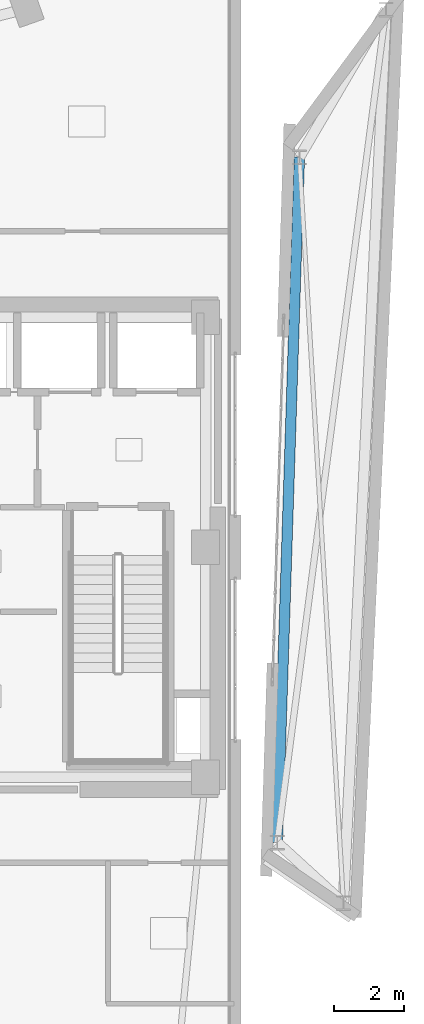
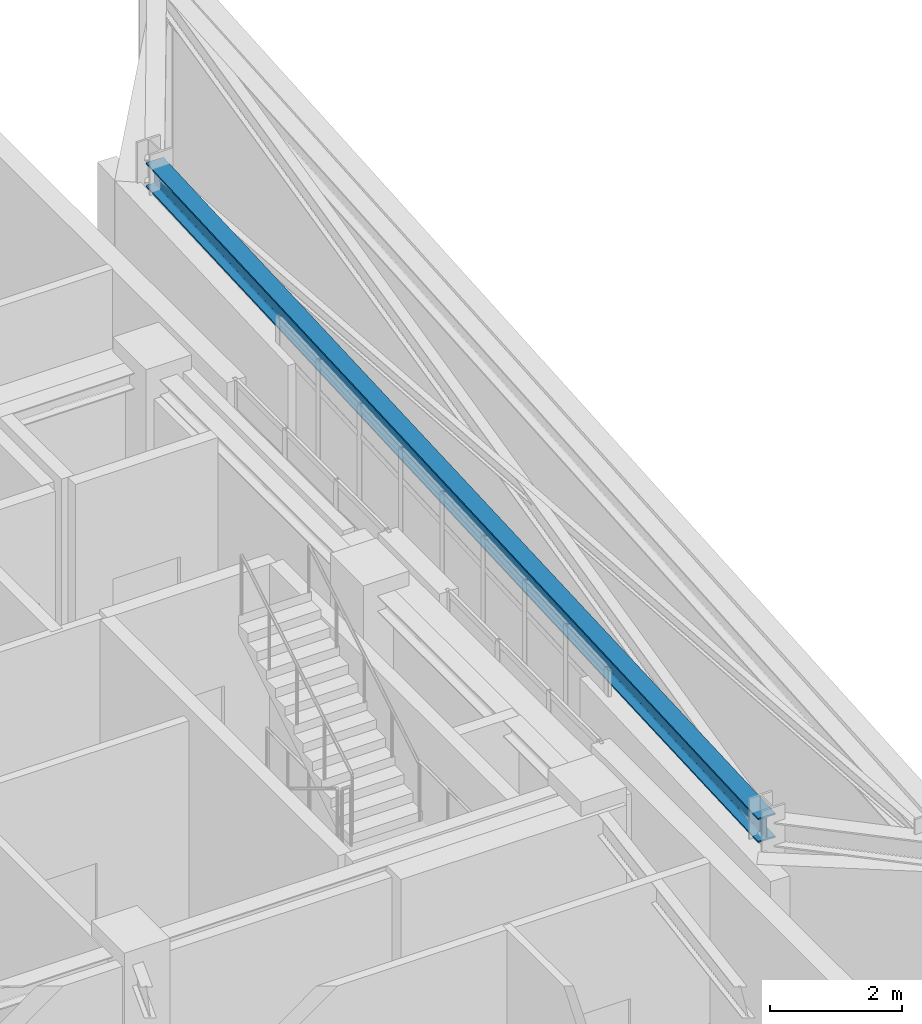
# One storey, part 8 of 19: 1 beam.
"""IFC4 building model written with IfcOpenShell, lengths in metres."""

from ifc_helpers import new_model, si_unit, direction, frame, origin, origin_2d, place, context, subcontext, project, spatial, i_section, extrude, material, material_profile, profile_set, type_object, element, save


model = new_model("IFC4")

# Units and contexts
model_context = context("Model", 3, precision=1e-05, world=origin(), true_north=direction((0.0, 1.0)))
body_context = subcontext(model_context, "Body", "Model", "MODEL_VIEW")
ifc_project = project(units=[si_unit("LENGTHUNIT", "METRE"), si_unit("AREAUNIT", "SQUARE_METRE"), si_unit("VOLUMEUNIT", "CUBIC_METRE"), si_unit("PLANEANGLEUNIT", "RADIAN"), si_unit("MASSUNIT", "GRAM", prefix="KILO")], contexts=[model_context])

# Site, building, storey
site_placement = place(None, origin())
site = spatial("IfcSite", under=ifc_project, at=site_placement, CompositionType="ELEMENT")
building_placement = place(site_placement, origin())
building = spatial("IfcBuilding", under=site, at=building_placement, Name="Ndelora Gate Hotel", CompositionType="ELEMENT")
storey_placement = place(building_placement, frame((0.0, 0.0, 286.0)))
storey = spatial("IfcBuildingStorey", under=building, at=storey_placement, Name="L71", CompositionType="ELEMENT", Elevation=286.0)

# Beam
ifc_material = material(Name="Steel S355", Category="steel")
ifc_material_profile = material_profile(ifc_material, i_section(OverallWidth=0.300048828125, OverallDepth=0.449951171875, WebThickness=0.013916015625, FlangeThickness=0.02587890625, FilletRadius=0.027099609375, at=origin_2d()), Name="HEB 450")
ifc_profile_set = profile_set([ifc_material_profile], Name="Steel S355")
beam_type = type_object("IfcBeamType", Name="BM-RING-450", PredefinedType="SPANDREL", material=ifc_profile_set)
beam_placement = place(storey_placement, frame((10.692138671875, 11.19091796875, 3.89501953125), z_axis=(-0.032242893106, -0.999480062755, 0.0), x_axis=(0.999480062755, -0.032242893106, 0.0)))
element("IfcBeam", 1, at=beam_placement, inside=storey, type_object=beam_type, Name="L71 structural beam RB-5", PredefinedType="SPANDREL", context=body_context, shape_type="SweptSolid", body=[
    extrude(i_section(OverallWidth=0.300048828125, OverallDepth=0.449951171875, WebThickness=0.013916015625, FlangeThickness=0.02587890625, FilletRadius=0.027099609375, at=origin_2d()), origin(), (0.0, 0.0, 1.0), 19.679443359375),
])

save(model, "model.ifc")
